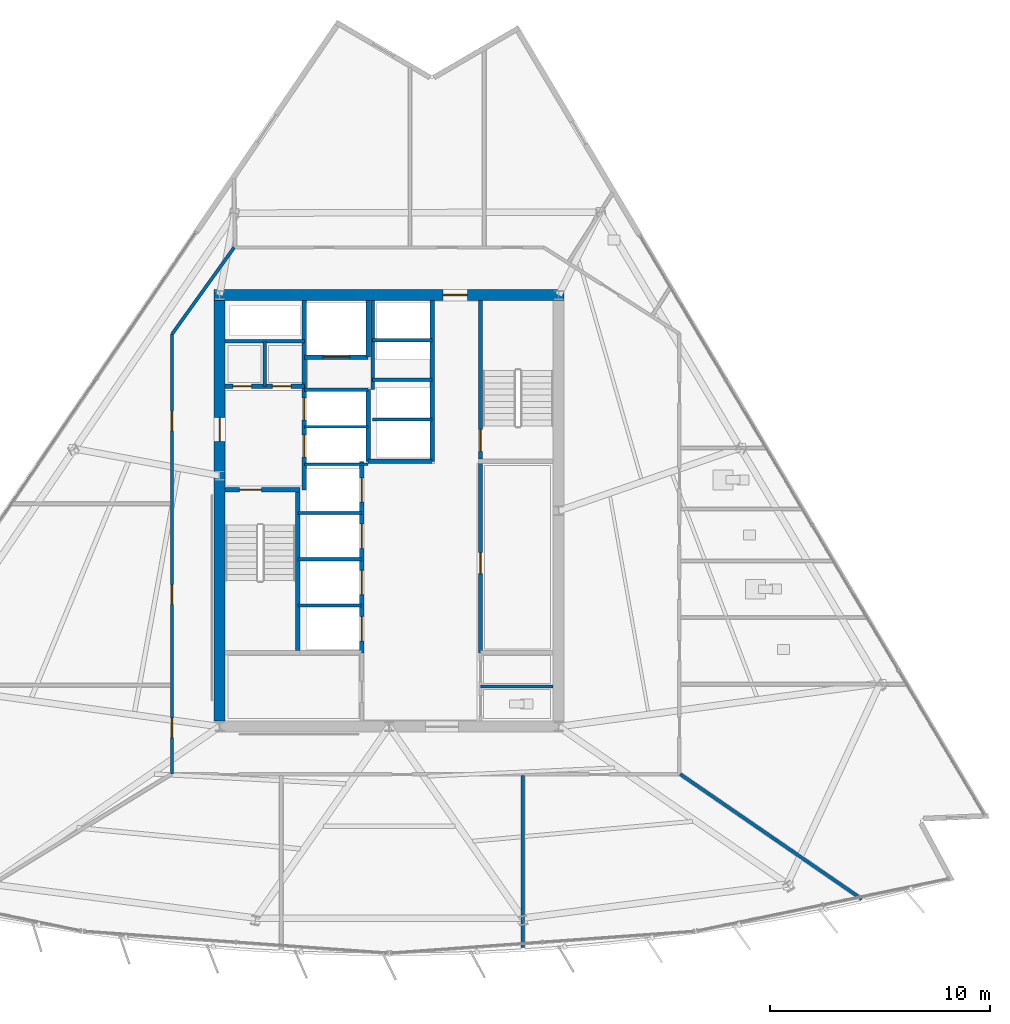
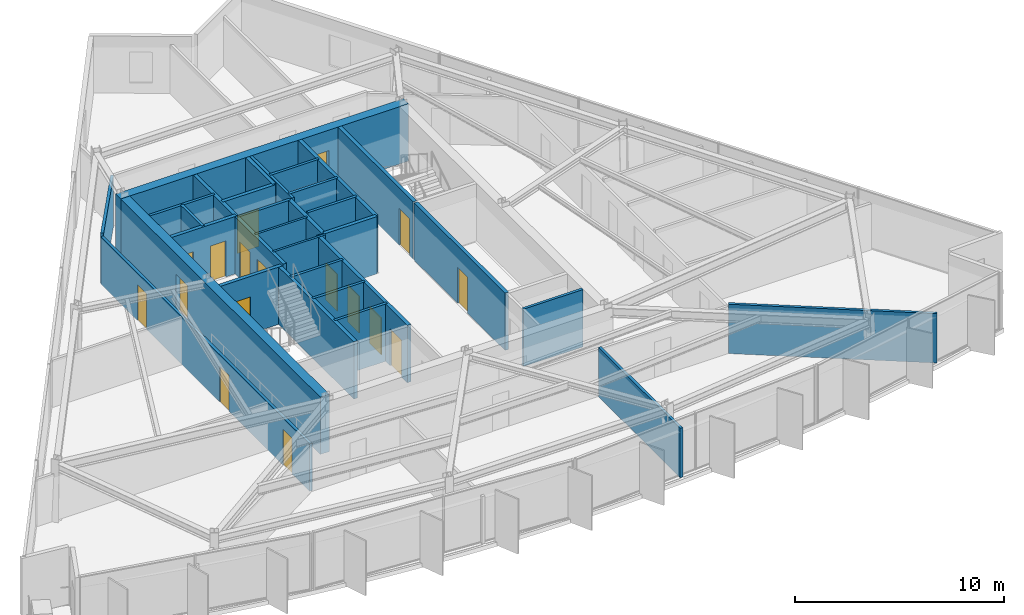
# One storey, part 8 of 15: 31 walls, 17 doors, 17 openings.
"""IFC4 building model written with IfcOpenShell, lengths in metres."""

from ifc_helpers import new_model, si_unit, direction, frame, frame_2d, origin, place, context, subcontext, project, spatial, rectangle, extrude, material, layer, layer_set, type_object, element, fill, save


model = new_model("IFC4")

# Units and contexts
model_context = context("Model", 3, precision=1e-05, world=origin(), true_north=direction((0.0, 1.0)))
body_context = subcontext(model_context, "Body", "Model", "MODEL_VIEW")
ifc_project = project(units=[si_unit("LENGTHUNIT", "METRE"), si_unit("AREAUNIT", "SQUARE_METRE"), si_unit("VOLUMEUNIT", "CUBIC_METRE"), si_unit("PLANEANGLEUNIT", "RADIAN"), si_unit("MASSUNIT", "GRAM", prefix="KILO")], contexts=[model_context])

# Site, building, storey
site_placement = place(None, origin())
site = spatial("IfcSite", under=ifc_project, at=site_placement, CompositionType="ELEMENT")
building_placement = place(site_placement, origin())
building = spatial("IfcBuilding", under=site, at=building_placement, Name="Savorim Split Tower", CompositionType="ELEMENT")
storey_placement = place(building_placement, frame((0.0, 0.0, 138.60009765625)))
storey = spatial("IfcBuildingStorey", under=building, at=storey_placement, Name="L36", CompositionType="ELEMENT", Elevation=138.60009765625)

# Wall, opening, door
ifc_material_1 = material(Name="Concrete C60/75", Category="concrete")
ifc_layer_1 = layer(ifc_material_1, 0.5)
ifc_layer_set_1 = layer_set([ifc_layer_1], Name="WAL-COR-SH500")
wall_type_1 = type_object("IfcWallType", Name="WAL-COR-SH500", PredefinedType="SHEAR", material=ifc_layer_set_1)
wall_1_placement = place(storey_placement, frame((7.949951171875, 10.199951171875, 0.0), z_axis=(0.0, 0.0, 1.0), x_axis=(-1.0, 0.0, 0.0)))
wall_1 = element("IfcWall", 1, at=wall_1_placement, inside=storey, type_object=wall_type_1, Name="L36 Offset Core North Shear Wall", PredefinedType="SHEAR", context=body_context, shape_type="SweptSolid", body=[
    extrude(rectangle(XDim=15.89990234375, YDim=0.5, at=frame_2d((7.949951171875, 0.0))), origin(), (0.0, 0.0, 1.0), 3.349853515625),
])
opening_1_placement = place(wall_1_placement, frame((4.39990234375, 0.0, 0.0)))
opening_1 = element("IfcOpeningElement", 2, at=opening_1_placement, cuts=wall_1, Name="Opening DI-03", PredefinedType="OPENING", context=body_context, shape_type="SweptSolid", body=[
    extrude(rectangle(XDim=1.10009765625, YDim=2.14990234375, at=frame_2d((0.550048828125, 1.074951171875))), frame((0.0, 0.260009765625, 0.0), z_axis=(0.0, -1.0, 0.0), x_axis=(1.0, 0.0, 0.0)), (0.0, 0.0, 1.0), 0.52001953125),
])
ifc_material_2 = material(Name="Timber Fire Door Leaf", Category="wood")
door_type_1 = type_object("IfcDoorType", Name="DOR-FIR-1100", OperationType="NOTDEFINED", PredefinedType="DOOR", material=ifc_material_2)
door_1_placement = place(opening_1_placement, origin())
door_1 = element("IfcDoor", 3, at=door_1_placement, inside=storey, type_object=door_type_1, Name="DOR-L36-COR-NLOB - L36 North Corridor Lobby Fire Door", OperationType="SINGLE_SWING_LEFT", OverallHeight=2.14990234375, OverallWidth=1.10009765625, PredefinedType="DOOR", context=body_context, shape_type="SweptSolid", body=[
    extrude(rectangle(XDim=1.10009765625, YDim=2.14990234375, at=frame_2d((0.550048828125, 1.074951171875))), frame((0.0, 0.02490234375, 0.0), z_axis=(0.0, -1.0, 0.0), x_axis=(1.0, 0.0, 0.0)), (0.0, 0.0, 1.0), 0.050048828125),
])
fill(opening_1, door_1)

wall_2_placement = place(storey_placement, frame((-7.699951171875, -9.14990234375, 0.0), z_axis=(0.0, 0.0, 1.0), x_axis=(0.0, 1.0, 0.0)))
wall_2 = element("IfcWall", 4, at=wall_2_placement, inside=storey, type_object=wall_type_1, Name="L36 Offset Core West Shear Wall", PredefinedType="SHEAR", context=body_context, shape_type="SweptSolid", body=[
    extrude(rectangle(XDim=19.099853515625, YDim=0.5, at=frame_2d((9.5498046875, 0.0))), origin(), (0.0, 0.0, 1.0), 3.349853515625),
])
opening_2_placement = place(wall_2_placement, frame((12.699951171875, 0.0, 0.0)))
opening_2 = element("IfcOpeningElement", 5, at=opening_2_placement, cuts=wall_2, Name="Opening DI-03", PredefinedType="OPENING", context=body_context, shape_type="SweptSolid", body=[
    extrude(rectangle(XDim=1.10009765625, YDim=2.14990234375, at=frame_2d((0.550048828125, 1.074951171875))), frame((0.0, 0.260009765625, 0.0), z_axis=(0.0, -1.0, 0.0), x_axis=(1.0, 0.0, 0.0)), (0.0, 0.0, 1.0), 0.52001953125),
])
door_2_placement = place(opening_2_placement, origin())
door_2 = element("IfcDoor", 6, at=door_2_placement, inside=storey, type_object=door_type_1, Name="DOR-L36-COR-FFLOB - L36 Firefighting Lobby Corridor Door", OperationType="SINGLE_SWING_RIGHT", OverallHeight=2.14990234375, OverallWidth=1.10009765625, PredefinedType="DOOR", context=body_context, shape_type="SweptSolid", body=[
    extrude(rectangle(XDim=1.10009765625, YDim=2.14990234375, at=frame_2d((0.550048828125, 1.074951171875))), frame((0.0, 0.02490234375, 0.0), z_axis=(0.0, -1.0, 0.0), x_axis=(1.0, 0.0, 0.0)), (0.0, 0.0, 1.0), 0.050048828125),
])
fill(opening_2, door_2)

ifc_material_3 = material(Name="Concrete C50/60", Category="concrete")
ifc_layer_2 = layer(ifc_material_3, 0.199951171875)
ifc_layer_set_2 = layer_set([ifc_layer_2], Name="WAL-INT-RC200")
wall_type_2 = type_object("IfcWallType", Name="WAL-INT-RC200", PredefinedType="SOLIDWALL", material=ifc_layer_set_2)
wall_3_placement = place(storey_placement, frame((-7.449951171875, 1.35009765625, 0.0), z_axis=(0.0, 0.0, 1.0), x_axis=(1.0, 0.0, 0.0)))
wall_3 = element("IfcWall", 7, at=wall_3_placement, inside=storey, type_object=wall_type_2, Name="L36 Structural Shaft Wall W-L36-CR01", PredefinedType="SOLIDWALL", context=body_context, shape_type="SweptSolid", body=[
    extrude(rectangle(XDim=3.39990234375, YDim=0.199951171875, at=frame_2d((1.699951171875, 0.0))), origin(), (0.0, 0.0, 1.0), 3.349853515625),
])
opening_3_placement = place(wall_3_placement, frame((0.64990234375, 0.0, 0.0)))
opening_3 = element("IfcOpeningElement", 8, at=opening_3_placement, cuts=wall_3, Name="Opening DI-04", PredefinedType="OPENING", context=body_context, shape_type="SweptSolid", body=[
    extrude(rectangle(XDim=1.0, YDim=2.14990234375, at=frame_2d((0.5, 1.074951171875))), frame((0.0, 0.10986328125, 0.0), z_axis=(0.0, -1.0, 0.0), x_axis=(1.0, 0.0, 0.0)), (0.0, 0.0, 1.0), 0.219970703125),
])
door_type_2 = type_object("IfcDoorType", Name="DOR-FIR-1000", OperationType="NOTDEFINED", PredefinedType="DOOR", material=ifc_material_2)
door_3_placement = place(opening_3_placement, origin())
door_3 = element("IfcDoor", 9, at=door_3_placement, inside=storey, type_object=door_type_2, Name="DR-L36-ST1 - L36 Stair ST-1 Enclosure Door", OperationType="SINGLE_SWING_LEFT", OverallHeight=2.14990234375, OverallWidth=1.0, PredefinedType="DOOR", context=body_context, shape_type="SweptSolid", body=[
    extrude(rectangle(XDim=1.0, YDim=2.14990234375, at=frame_2d((0.5, 1.074951171875))), frame((0.0, 0.02490234375, 0.0), z_axis=(0.0, -1.0, 0.0), x_axis=(1.0, 0.0, 0.0)), (0.0, 0.0, 1.0), 0.050048828125),
])
fill(opening_3, door_3)

# Wall
wall_4_placement = place(storey_placement, frame((-4.14990234375, -5.949951171875, 0.0), z_axis=(0.0, 0.0, 1.0), x_axis=(0.0, 1.0, 0.0)))
element("IfcWall", 10, at=wall_4_placement, inside=storey, type_object=wall_type_2, Name="L36 Structural Shaft Wall W-L36-CR02", PredefinedType="SOLIDWALL", context=body_context, shape_type="SweptSolid", body=[
    extrude(rectangle(XDim=7.199951171875, YDim=0.199951171875, at=frame_2d((3.60009765625, 0.0))), origin(), (0.0, 0.0, 1.0), 3.349853515625),
])

# Wall, openings, doors
wall_5_placement = place(storey_placement, frame((-3.85009765625, 1.35009765625, 0.0), z_axis=(0.0, 0.0, 1.0), x_axis=(0.0, 1.0, 0.0)))
wall_5 = element("IfcWall", 11, at=wall_5_placement, inside=storey, type_object=wall_type_2, Name="L36 Partition W-L36-CR03", PredefinedType="SOLIDWALL", context=body_context, shape_type="SweptSolid", body=[
    extrude(rectangle(XDim=8.594970703125, YDim=0.199951171875, at=frame_2d((4.29736328125, 0.0))), origin(), (0.0, 0.0, 1.0), 3.349853515625),
])
opening_4_placement = place(wall_5_placement, frame((1.5, 0.0, 0.0)))
opening_4 = element("IfcOpeningElement", 12, at=opening_4_placement, cuts=wall_5, Name="Opening LD-FFL", PredefinedType="OPENING", context=body_context, shape_type="SweptSolid", body=[
    extrude(rectangle(XDim=1.0, YDim=2.14990234375, at=frame_2d((0.5, 1.074951171875))), frame((0.0, 0.10986328125, 0.0), z_axis=(0.0, -1.0, 0.0), x_axis=(1.0, 0.0, 0.0)), (0.0, 0.0, 1.0), 0.219970703125),
])
opening_5_placement = place(wall_5_placement, frame((3.179931640625, 0.0, 0.0)))
opening_5 = element("IfcOpeningElement", 13, at=opening_5_placement, cuts=wall_5, Name="Opening LD-FFL", PredefinedType="OPENING", context=body_context, shape_type="SweptSolid", body=[
    extrude(rectangle(XDim=1.0, YDim=2.14990234375, at=frame_2d((0.5, 1.074951171875))), frame((0.0, 0.10986328125, 0.0), z_axis=(0.0, -1.0, 0.0), x_axis=(1.0, 0.0, 0.0)), (0.0, 0.0, 1.0), 0.219970703125),
])
ifc_material_4 = material(Name="Charcoal Anodised Aluminium", Category="aluminium")
door_type_3 = type_object("IfcDoorType", Name="DOR-SLD-LD1000", OperationType="NOTDEFINED", PredefinedType="DOOR", material=ifc_material_4)
door_4_placement = place(opening_4_placement, origin())
door_4 = element("IfcDoor", 14, at=door_4_placement, inside=storey, type_object=door_type_3, Name="DR-L36-LD-FFL1 - L36 Firefighting Lift FFL-1 Sliding Landing Door", OperationType="DOUBLE_DOOR_SLIDING", OverallHeight=2.14990234375, OverallWidth=1.0, PredefinedType="DOOR", context=body_context, shape_type="SweptSolid", body=[
    extrude(rectangle(XDim=1.0, YDim=2.14990234375, at=frame_2d((0.5, 1.074951171875))), frame((0.0, 0.02490234375, 0.0), z_axis=(0.0, -1.0, 0.0), x_axis=(1.0, 0.0, 0.0)), (0.0, 0.0, 1.0), 0.050048828125),
])
fill(opening_4, door_4)
door_5_placement = place(opening_5_placement, origin())
door_5 = element("IfcDoor", 15, at=door_5_placement, inside=storey, type_object=door_type_3, Name="DR-L36-LD-FFL2 - L36 Firefighting Lift FFL-2 Sliding Landing Door", OperationType="DOUBLE_DOOR_SLIDING", OverallHeight=2.14990234375, OverallWidth=1.0, PredefinedType="DOOR", context=body_context, shape_type="SweptSolid", body=[
    extrude(rectangle(XDim=1.0, YDim=2.14990234375, at=frame_2d((0.5, 1.074951171875))), frame((0.0, 0.02490234375, 0.0), z_axis=(0.0, -1.0, 0.0), x_axis=(1.0, 0.0, 0.0)), (0.0, 0.0, 1.0), 0.050048828125),
])
fill(opening_5, door_5)

wall_6_placement = place(storey_placement, frame((-7.445068359375, 6.050048828125, 0.0), z_axis=(0.0, 0.0, 1.0), x_axis=(1.0, 0.0, 0.0)))
wall_6 = element("IfcWall", 16, at=wall_6_placement, inside=storey, type_object=wall_type_2, Name="L36 Partition W-L36-CR04", PredefinedType="SOLIDWALL", context=body_context, shape_type="SweptSolid", body=[
    extrude(rectangle(XDim=3.594970703125, YDim=0.199951171875, at=frame_2d((1.79736328125, 0.0))), origin(), (0.0, 0.0, 1.0), 3.349853515625),
])
opening_6_placement = place(wall_6_placement, frame((0.344970703125, 0.0, 0.0)))
opening_6 = element("IfcOpeningElement", 17, at=opening_6_placement, cuts=wall_6, Name="Opening DI-12", PredefinedType="OPENING", context=body_context, shape_type="SweptSolid", body=[
    extrude(rectangle(XDim=0.85009765625, YDim=2.10009765625, at=frame_2d((0.425048828125, 1.050048828125))), frame((0.0, 0.10986328125, 0.0), z_axis=(0.0, -1.0, 0.0), x_axis=(1.0, 0.0, 0.0)), (0.0, 0.0, 1.0), 0.219970703125),
])
opening_7_placement = place(wall_6_placement, frame((2.14501953125, 0.0, 0.0)))
opening_7 = element("IfcOpeningElement", 18, at=opening_7_placement, cuts=wall_6, Name="Opening DI-12", PredefinedType="OPENING", context=body_context, shape_type="SweptSolid", body=[
    extrude(rectangle(XDim=0.85009765625, YDim=2.10009765625, at=frame_2d((0.425048828125, 1.050048828125))), frame((0.0, 0.10986328125, 0.0), z_axis=(0.0, -1.0, 0.0), x_axis=(1.0, 0.0, 0.0)), (0.0, 0.0, 1.0), 0.219970703125),
])
ifc_material_5 = material(Name="Galvanised Painted Steel Balustrade", Category="steel")
door_type_4 = type_object("IfcDoorType", Name="DOR-RIS-850", OperationType="NOTDEFINED", PredefinedType="DOOR", material=ifc_material_5)
door_6_placement = place(opening_6_placement, origin())
door_6 = element("IfcDoor", 19, at=door_6_placement, inside=storey, type_object=door_type_4, Name="DR-L36-ELR - L36 Electrical Riser Access Door", OperationType="SINGLE_SWING_RIGHT", OverallHeight=2.10009765625, OverallWidth=0.85009765625, PredefinedType="DOOR", context=body_context, shape_type="SweptSolid", body=[
    extrude(rectangle(XDim=0.85009765625, YDim=2.10009765625, at=frame_2d((0.425048828125, 1.050048828125))), frame((0.0, 0.02490234375, 0.0), z_axis=(0.0, -1.0, 0.0), x_axis=(1.0, 0.0, 0.0)), (0.0, 0.0, 1.0), 0.050048828125),
])
fill(opening_6, door_6)
door_7_placement = place(opening_7_placement, origin())
door_7 = element("IfcDoor", 20, at=door_7_placement, inside=storey, type_object=door_type_4, Name="DR-L36-TLR - L36 Telecom Riser Access Door", OperationType="SINGLE_SWING_LEFT", OverallHeight=2.10009765625, OverallWidth=0.85009765625, PredefinedType="DOOR", context=body_context, shape_type="SweptSolid", body=[
    extrude(rectangle(XDim=0.85009765625, YDim=2.10009765625, at=frame_2d((0.425048828125, 1.050048828125))), frame((0.0, 0.02490234375, 0.0), z_axis=(0.0, -1.0, 0.0), x_axis=(1.0, 0.0, 0.0)), (0.0, 0.0, 1.0), 0.050048828125),
])
fill(opening_7, door_7)

# Wall, opening, door
wall_7_placement = place(storey_placement, frame((4.14990234375, 2.75, 0.0), z_axis=(0.0, 0.0, 1.0), x_axis=(0.0, 1.0, 0.0)))
wall_7 = element("IfcWall", 21, at=wall_7_placement, inside=storey, type_object=wall_type_2, Name="L36 Structural Shaft Wall W-L36-CR07", PredefinedType="SOLIDWALL", context=body_context, shape_type="SweptSolid", body=[
    extrude(rectangle(XDim=7.199951171875, YDim=0.199951171875, at=frame_2d((3.60009765625, 0.0))), origin(), (0.0, 0.0, 1.0), 3.349853515625),
])
opening_8_placement = place(wall_7_placement, frame((0.35009765625, 0.0, 0.0)))
opening_8 = element("IfcOpeningElement", 22, at=opening_8_placement, cuts=wall_7, Name="Opening DI-04", PredefinedType="OPENING", context=body_context, shape_type="SweptSolid", body=[
    extrude(rectangle(XDim=1.0, YDim=2.14990234375, at=frame_2d((0.5, 1.074951171875))), frame((0.0, 0.10986328125, 0.0), z_axis=(0.0, -1.0, 0.0), x_axis=(1.0, 0.0, 0.0)), (0.0, 0.0, 1.0), 0.219970703125),
])
door_8_placement = place(opening_8_placement, origin())
door_8 = element("IfcDoor", 23, at=door_8_placement, inside=storey, type_object=door_type_2, Name="DR-L36-ST2 - L36 Stair ST-2 Enclosure Door", OperationType="SINGLE_SWING_RIGHT", OverallHeight=2.14990234375, OverallWidth=1.0, PredefinedType="DOOR", context=body_context, shape_type="SweptSolid", body=[
    extrude(rectangle(XDim=1.0, YDim=2.14990234375, at=frame_2d((0.5, 1.074951171875))), frame((0.0, 0.02490234375, 0.0), z_axis=(0.0, -1.0, 0.0), x_axis=(1.0, 0.0, 0.0)), (0.0, 0.0, 1.0), 0.050048828125),
])
fill(opening_8, door_8)

# Wall
wall_8_placement = place(storey_placement, frame((-0.949951171875, 2.64990234375, 0.0), z_axis=(0.0, 0.0, 1.0), x_axis=(0.0, 1.0, 0.0)))
element("IfcWall", 24, at=wall_8_placement, inside=storey, type_object=wall_type_2, Name="L36 Partition W-L36-FFLW", PredefinedType="SOLIDWALL", context=body_context, shape_type="SweptSolid", body=[
    extrude(rectangle(XDim=3.27001953125, YDim=0.199951171875, at=frame_2d((1.635009765625, 0.0))), origin(), (0.0, 0.0, 1.0), 3.349853515625),
])

# Wall, opening, door
wall_9_placement = place(storey_placement, frame((-3.85009765625, 7.3798828125, 0.0), z_axis=(0.0, 0.0, 1.0), x_axis=(1.0, 0.0, 0.0)))
wall_9 = element("IfcWall", 25, at=wall_9_placement, inside=storey, type_object=wall_type_2, Name="L36 Partition W-L36-SVLS", PredefinedType="SOLIDWALL", context=body_context, shape_type="SweptSolid", body=[
    extrude(rectangle(XDim=2.900146484375, YDim=0.199951171875, at=frame_2d((1.4501953125, 0.0))), origin(), (0.0, 0.0, 1.0), 3.349853515625),
])
opening_9_placement = place(wall_9_placement, frame((0.85009765625, 0.0, 0.0)))
opening_9 = element("IfcOpeningElement", 26, at=opening_9_placement, cuts=wall_9, Name="Opening LD-SV", PredefinedType="OPENING", context=body_context, shape_type="SweptSolid", body=[
    extrude(rectangle(XDim=1.199951171875, YDim=2.199951171875, at=frame_2d((0.60009765625, 1.10009765625))), frame((0.0, 0.10986328125, 0.0), z_axis=(0.0, -1.0, 0.0), x_axis=(1.0, 0.0, 0.0)), (0.0, 0.0, 1.0), 0.219970703125),
])
door_type_5 = type_object("IfcDoorType", Name="DOR-SLD-SV1200", OperationType="NOTDEFINED", PredefinedType="DOOR", material=ifc_material_4)
door_9_placement = place(opening_9_placement, origin())
door_9 = element("IfcDoor", 27, at=door_9_placement, inside=storey, type_object=door_type_5, Name="DR-L36-LD-SVL1 - L36 Service Lift SVL-1 Sliding Landing Door", OperationType="DOUBLE_DOOR_SLIDING", OverallHeight=2.199951171875, OverallWidth=1.199951171875, PredefinedType="DOOR", context=body_context, shape_type="SweptSolid", body=[
    extrude(rectangle(XDim=1.199951171875, YDim=2.199951171875, at=frame_2d((0.60009765625, 1.10009765625))), frame((0.0, 0.02490234375, 0.0), z_axis=(0.0, -1.0, 0.0), x_axis=(1.0, 0.0, 0.0)), (0.0, 0.0, 1.0), 0.050048828125),
])
fill(opening_9, door_9)

# Wall
wall_10_placement = place(storey_placement, frame((-0.949951171875, 7.3798828125, 0.0), z_axis=(0.0, 0.0, 1.0), x_axis=(0.0, 1.0, 0.0)))
element("IfcWall", 28, at=wall_10_placement, inside=storey, type_object=wall_type_2, Name="L36 Partition W-L36-SVLE", PredefinedType="SOLIDWALL", context=body_context, shape_type="SweptSolid", body=[
    extrude(rectangle(XDim=2.565185546875, YDim=0.199951171875, at=frame_2d((1.28271484375, 0.0))), origin(), (0.0, 0.0, 1.0), 3.349853515625),
])

# Wall, opening, door
wall_11_placement = place(storey_placement, frame((4.14990234375, -6.050048828125, 0.0), z_axis=(0.0, 0.0, 1.0), x_axis=(0.0, 1.0, 0.0)))
wall_11 = element("IfcWall", 29, at=wall_11_placement, inside=storey, type_object=wall_type_2, Name="L36 Partition W-L36-B1FRONT", PredefinedType="SOLIDWALL", context=body_context, shape_type="SweptSolid", body=[
    extrude(rectangle(XDim=8.699951171875, YDim=0.199951171875, at=frame_2d((4.35009765625, 0.0))), origin(), (0.0, 0.0, 1.0), 3.349853515625),
])
opening_10_placement = place(wall_11_placement, frame((3.60009765625, 0.0, 0.0)))
opening_10 = element("IfcOpeningElement", 30, at=opening_10_placement, cuts=wall_11, Name="Opening DI-05", PredefinedType="OPENING", context=body_context, shape_type="SweptSolid", body=[
    extrude(rectangle(XDim=0.949951171875, YDim=2.10009765625, at=frame_2d((0.47509765625, 1.050048828125))), frame((0.0, 0.10986328125, 0.0), z_axis=(0.0, -1.0, 0.0), x_axis=(1.0, 0.0, 0.0)), (0.0, 0.0, 1.0), 0.219970703125),
])
door_type_6 = type_object("IfcDoorType", Name="DOR-FIR-950", OperationType="NOTDEFINED", PredefinedType="DOOR", material=ifc_material_2)
door_10_placement = place(opening_10_placement, origin())
door_10 = element("IfcDoor", 31, at=door_10_placement, inside=storey, type_object=door_type_6, Name="DR-L36-LV7B1 - L36 Shared Pantry and Linen Room Door", OperationType="SINGLE_SWING_RIGHT", OverallHeight=2.10009765625, OverallWidth=0.949951171875, PredefinedType="DOOR", context=body_context, shape_type="SweptSolid", body=[
    extrude(rectangle(XDim=0.949951171875, YDim=2.10009765625, at=frame_2d((0.47509765625, 1.050048828125))), frame((0.0, 0.02490234375, 0.0), z_axis=(0.0, -1.0, 0.0), x_axis=(1.0, 0.0, 0.0)), (0.0, 0.0, 1.0), 0.050048828125),
])
fill(opening_10, door_10)

# Wall, openings, doors
wall_12_placement = place(storey_placement, frame((-1.25, -6.050048828125, 0.0), z_axis=(0.0, 0.0, 1.0), x_axis=(0.0, 1.0, 0.0)))
wall_12 = element("IfcWall", 32, at=wall_12_placement, inside=storey, type_object=wall_type_2, Name="L36 Partition W-L36-B2FRONT", PredefinedType="SOLIDWALL", context=body_context, shape_type="SweptSolid", body=[
    extrude(rectangle(XDim=8.699951171875, YDim=0.199951171875, at=frame_2d((4.35009765625, 0.0))), origin(), (0.0, 0.0, 1.0), 3.349853515625),
])
opening_11_placement = place(wall_12_placement, frame((0.550048828125, 0.0, 0.0)))
opening_11 = element("IfcOpeningElement", 33, at=opening_11_placement, cuts=wall_12, Name="Opening LD-02", PredefinedType="OPENING", context=body_context, shape_type="SweptSolid", body=[
    extrude(rectangle(XDim=1.10009765625, YDim=2.14990234375, at=frame_2d((0.550048828125, 1.074951171875))), frame((0.0, 0.10986328125, 0.0), z_axis=(0.0, -1.0, 0.0), x_axis=(1.0, 0.0, 0.0)), (0.0, 0.0, 1.0), 0.219970703125),
])
opening_12_placement = place(wall_12_placement, frame((2.64990234375, 0.0, 0.0)))
opening_12 = element("IfcOpeningElement", 34, at=opening_12_placement, cuts=wall_12, Name="Opening LD-02", PredefinedType="OPENING", context=body_context, shape_type="SweptSolid", body=[
    extrude(rectangle(XDim=1.10009765625, YDim=2.14990234375, at=frame_2d((0.550048828125, 1.074951171875))), frame((0.0, 0.10986328125, 0.0), z_axis=(0.0, -1.0, 0.0), x_axis=(1.0, 0.0, 0.0)), (0.0, 0.0, 1.0), 0.219970703125),
])
opening_13_placement = place(wall_12_placement, frame((4.75, 0.0, 0.0)))
opening_13 = element("IfcOpeningElement", 35, at=opening_13_placement, cuts=wall_12, Name="Opening LD-02", PredefinedType="OPENING", context=body_context, shape_type="SweptSolid", body=[
    extrude(rectangle(XDim=1.10009765625, YDim=2.14990234375, at=frame_2d((0.550048828125, 1.074951171875))), frame((0.0, 0.10986328125, 0.0), z_axis=(0.0, -1.0, 0.0), x_axis=(1.0, 0.0, 0.0)), (0.0, 0.0, 1.0), 0.219970703125),
])
opening_14_placement = place(wall_12_placement, frame((6.85009765625, 0.0, 0.0)))
opening_14 = element("IfcOpeningElement", 36, at=opening_14_placement, cuts=wall_12, Name="Opening LD-02", PredefinedType="OPENING", context=body_context, shape_type="SweptSolid", body=[
    extrude(rectangle(XDim=1.10009765625, YDim=2.14990234375, at=frame_2d((0.550048828125, 1.074951171875))), frame((0.0, 0.10986328125, 0.0), z_axis=(0.0, -1.0, 0.0), x_axis=(1.0, 0.0, 0.0)), (0.0, 0.0, 1.0), 0.219970703125),
])
door_type_7 = type_object("IfcDoorType", Name="DOR-SLD-LDM1100", OperationType="NOTDEFINED", PredefinedType="DOOR", material=ifc_material_4)
door_11_placement = place(opening_11_placement, origin())
door_11 = element("IfcDoor", 37, at=door_11_placement, inside=storey, type_object=door_type_7, Name="DR-L36-LD-PLM1 - L36 Lift PL-M1 Sliding Landing Door", OperationType="DOUBLE_DOOR_SLIDING", OverallHeight=2.14990234375, OverallWidth=1.10009765625, PredefinedType="DOOR", context=body_context, shape_type="SweptSolid", body=[
    extrude(rectangle(XDim=1.10009765625, YDim=2.14990234375, at=frame_2d((0.550048828125, 1.074951171875))), frame((0.0, 0.02490234375, 0.0), z_axis=(0.0, -1.0, 0.0), x_axis=(1.0, 0.0, 0.0)), (0.0, 0.0, 1.0), 0.050048828125),
])
fill(opening_11, door_11)
door_12_placement = place(opening_12_placement, origin())
door_12 = element("IfcDoor", 38, at=door_12_placement, inside=storey, type_object=door_type_7, Name="DR-L36-LD-PLM2 - L36 Lift PL-M2 Sliding Landing Door", OperationType="DOUBLE_DOOR_SLIDING", OverallHeight=2.14990234375, OverallWidth=1.10009765625, PredefinedType="DOOR", context=body_context, shape_type="SweptSolid", body=[
    extrude(rectangle(XDim=1.10009765625, YDim=2.14990234375, at=frame_2d((0.550048828125, 1.074951171875))), frame((0.0, 0.02490234375, 0.0), z_axis=(0.0, -1.0, 0.0), x_axis=(1.0, 0.0, 0.0)), (0.0, 0.0, 1.0), 0.050048828125),
])
fill(opening_12, door_12)
door_13_placement = place(opening_13_placement, origin())
door_13 = element("IfcDoor", 39, at=door_13_placement, inside=storey, type_object=door_type_7, Name="DR-L36-LD-PLM3 - L36 Lift PL-M3 Sliding Landing Door", OperationType="DOUBLE_DOOR_SLIDING", OverallHeight=2.14990234375, OverallWidth=1.10009765625, PredefinedType="DOOR", context=body_context, shape_type="SweptSolid", body=[
    extrude(rectangle(XDim=1.10009765625, YDim=2.14990234375, at=frame_2d((0.550048828125, 1.074951171875))), frame((0.0, 0.02490234375, 0.0), z_axis=(0.0, -1.0, 0.0), x_axis=(1.0, 0.0, 0.0)), (0.0, 0.0, 1.0), 0.050048828125),
])
fill(opening_13, door_13)
door_14_placement = place(opening_14_placement, origin())
door_14 = element("IfcDoor", 40, at=door_14_placement, inside=storey, type_object=door_type_7, Name="DR-L36-LD-PLM4 - L36 Lift PL-M4 Sliding Landing Door", OperationType="DOUBLE_DOOR_SLIDING", OverallHeight=2.14990234375, OverallWidth=1.10009765625, PredefinedType="DOOR", context=body_context, shape_type="SweptSolid", body=[
    extrude(rectangle(XDim=1.10009765625, YDim=2.14990234375, at=frame_2d((0.550048828125, 1.074951171875))), frame((0.0, 0.02490234375, 0.0), z_axis=(0.0, -1.0, 0.0), x_axis=(1.0, 0.0, 0.0)), (0.0, 0.0, 1.0), 0.050048828125),
])
fill(opening_14, door_14)

# Walls
wall_13_placement = place(storey_placement, frame((1.949951171875, 2.64990234375, 0.0), z_axis=(0.0, 0.0, 1.0), x_axis=(0.0, 1.0, 0.0)))
element("IfcWall", 41, at=wall_13_placement, inside=storey, type_object=wall_type_2, Name="L36 Partition W-L36-B3FRONT", PredefinedType="SOLIDWALL", context=body_context, shape_type="SweptSolid", body=[
    extrude(rectangle(XDim=7.295166015625, YDim=0.199951171875, at=frame_2d((3.6474609375, 0.0))), origin(), (0.0, 0.0, 1.0), 3.349853515625),
])
wall_14_placement = place(storey_placement, frame((-0.949951171875, 2.64990234375, 0.0), z_axis=(0.0, 0.0, 1.0), x_axis=(1.0, 0.0, 0.0)))
element("IfcWall", 42, at=wall_14_placement, inside=storey, type_object=wall_type_2, Name="L36 Partition W-L36-B3SOUTH", PredefinedType="SOLIDWALL", context=body_context, shape_type="SweptSolid", body=[
    extrude(rectangle(XDim=2.89990234375, YDim=0.199951171875, at=frame_2d((1.449951171875, 0.0))), origin(), (0.0, 0.0, 1.0), 3.349853515625),
])
ifc_material_6 = material(Name="Acoustic Gypsum Partition Board")
ifc_layer_3 = layer(ifc_material_6, 0.1201171875)
ifc_layer_set_3 = layer_set([ifc_layer_3], Name="WAL-PAR-120")
wall_type_3 = type_object("IfcWallType", Name="WAL-PAR-120", PredefinedType="PARTITIONING", material=ifc_layer_set_3)
for number, where, z_axis, x_axis, name in (
    (43, (-3.85009765625, 2.52001953125, 0.0), (0.0, 0.0, 1.0), (1.0, 0.0, 0.0), "L36 Partition W-L36-FFLD0"),
    (44, (-3.85009765625, 4.219970703125, 0.0), (0.0, 0.0, 1.0), (1.0, 0.0, 0.0), "L36 Partition W-L36-FFLD1"),
):
    element("IfcWall", number, at=place(storey_placement, frame(where, z_axis=z_axis, x_axis=x_axis)), inside=storey, type_object=wall_type_3, Name=name, PredefinedType="PARTITIONING", context=body_context, shape_type="SweptSolid", body=[
        extrude(rectangle(XDim=2.900146484375, YDim=0.1201171875, at=frame_2d((1.4501953125, 0.0))), origin(), (0.0, 0.0, 1.0), 3.349853515625),
    ])
ifc_layer_4 = layer(ifc_material_6, 0.14990234375)
ifc_layer_set_4 = layer_set([ifc_layer_4], Name="WAL-PAR-150")
wall_type_4 = type_object("IfcWallType", Name="WAL-PAR-150", PredefinedType="PARTITIONING", material=ifc_layer_set_4)
wall_15_placement = place(storey_placement, frame((-7.445068359375, 8.10009765625, 0.0), z_axis=(0.0, 0.0, 1.0), x_axis=(1.0, 0.0, 0.0)))
element("IfcWall", 45, at=wall_15_placement, inside=storey, type_object=wall_type_4, Name="L36 Partition W-L36-CR05", PredefinedType="PARTITIONING", context=body_context, shape_type="SweptSolid", body=[
    extrude(rectangle(XDim=3.594970703125, YDim=0.14990234375, at=frame_2d((1.79736328125, 0.0))), origin(), (0.0, 0.0, 1.0), 3.349853515625),
])
wall_16_placement = place(storey_placement, frame((-5.64990234375, 6.050048828125, 0.0), z_axis=(0.0, 0.0, 1.0), x_axis=(0.0, 1.0, 0.0)))
element("IfcWall", 46, at=wall_16_placement, inside=storey, type_object=wall_type_4, Name="L36 Partition W-L36-CR06", PredefinedType="PARTITIONING", context=body_context, shape_type="SweptSolid", body=[
    extrude(rectangle(XDim=2.050048828125, YDim=0.14990234375, at=frame_2d((1.02490234375, 0.0))), origin(), (0.0, 0.0, 1.0), 3.349853515625),
])
wall_17_placement = place(storey_placement, frame((-3.85009765625, 5.89990234375, 0.0), z_axis=(0.0, 0.0, 1.0), x_axis=(1.0, 0.0, 0.0)))
element("IfcWall", 47, at=wall_17_placement, inside=storey, type_object=wall_type_4, Name="L36 Partition W-L36-FFLD2", PredefinedType="PARTITIONING", context=body_context, shape_type="SweptSolid", body=[
    extrude(rectangle(XDim=2.900146484375, YDim=0.14990234375, at=frame_2d((1.4501953125, 0.0))), origin(), (0.0, 0.0, 1.0), 3.349853515625),
])
for number, where, z_axis, x_axis, name in (
    (48, (-4.14990234375, -3.89990234375, 0.0), (0.0, 0.0, 1.0), (1.0, 0.0, 0.0), "L36 Partition W-L36-B2DIV1"),
    (49, (-4.14990234375, -1.800048828125, 0.0), (0.0, 0.0, 1.0), (1.0, 0.0, 0.0), "L36 Partition W-L36-B2DIV2"),
    (50, (-4.14990234375, 0.300048828125, 0.0), (0.0, 0.0, 1.0), (1.0, 0.0, 0.0), "L36 Partition W-L36-B2DIV3"),
):
    element("IfcWall", number, at=place(storey_placement, frame(where, z_axis=z_axis, x_axis=x_axis)), inside=storey, type_object=wall_type_4, Name=name, PredefinedType="PARTITIONING", context=body_context, shape_type="SweptSolid", body=[
        extrude(rectangle(XDim=2.89990234375, YDim=0.14990234375, at=frame_2d((1.449951171875, 0.0))), origin(), (0.0, 0.0, 1.0), 3.349853515625),
    ])
wall_18_placement = place(storey_placement, frame((-0.75, 5.919921875, 0.0), z_axis=(0.0, 0.0, 1.0), x_axis=(0.0, 1.0, 0.0)))
element("IfcWall", 51, at=wall_18_placement, inside=storey, type_object=wall_type_4, Name="L36 Partition W-L36-B3WEST", PredefinedType="PARTITIONING", context=body_context, shape_type="SweptSolid", body=[
    extrude(rectangle(XDim=4.025146484375, YDim=0.14990234375, at=frame_2d((2.0126953125, 0.0))), origin(), (0.0, 0.0, 1.0), 3.349853515625),
])
for number, where, z_axis, x_axis, name in (
    (52, (-0.75, 4.550048828125, 0.0), (0.0, 0.0, 1.0), (1.0, 0.0, 0.0), "L36 Partition W-L36-B3DIV1"),
    (53, (-0.75, 6.35009765625, 0.0), (0.0, 0.0, 1.0), (1.0, 0.0, 0.0), "L36 Partition W-L36-B3DIV2"),
    (54, (-0.75, 8.14990234375, 0.0), (0.0, 0.0, 1.0), (1.0, 0.0, 0.0), "L36 Partition W-L36-B3DIV3"),
):
    element("IfcWall", number, at=place(storey_placement, frame(where, z_axis=z_axis, x_axis=x_axis)), inside=storey, type_object=wall_type_4, Name=name, PredefinedType="PARTITIONING", context=body_context, shape_type="SweptSolid", body=[
        extrude(rectangle(XDim=2.699951171875, YDim=0.14990234375, at=frame_2d((1.35009765625, 0.0))), origin(), (0.0, 0.0, 1.0), 3.349853515625),
    ])
wall_19_placement = place(storey_placement, frame((4.14990234375, -7.580078125, 0.0), z_axis=(0.0, 0.0, 1.0), x_axis=(1.0, 0.0, 0.0)))
element("IfcWall", 55, at=wall_19_placement, inside=storey, type_object=wall_type_4, Name="L36 Partition W-L36-K3H", PredefinedType="PARTITIONING", context=body_context, shape_type="SweptSolid", body=[
    extrude(rectangle(XDim=3.295166015625, YDim=0.14990234375, at=frame_2d((1.6474609375, 0.0))), origin(), (0.0, 0.0, 1.0), 3.349853515625),
])

# Wall, openings, doors
wall_20_placement = place(storey_placement, frame((-9.860107421875, -11.56005859375, 0.0), z_axis=(0.0, 0.0, 1.0), x_axis=(0.0, 1.0, 0.0)))
wall_20 = element("IfcWall", 56, at=wall_20_placement, inside=storey, type_object=wall_type_4, Name="L36 Partition W-L36-COR-01", PredefinedType="PARTITIONING", context=body_context, shape_type="SweptSolid", body=[
    extrude(rectangle(XDim=19.98583984375, YDim=0.14990234375, at=frame_2d((9.992919921875, 0.0))), origin(), (0.0, 0.0, 1.0), 2.77490234375),
])
opening_15_placement = place(wall_20_placement, frame((7.710205078125, 0.0, 0.0)))
opening_15 = element("IfcOpeningElement", 57, at=opening_15_placement, cuts=wall_20, Name="Opening DI-06", PredefinedType="OPENING", context=body_context, shape_type="SweptSolid", body=[
    extrude(rectangle(XDim=0.89990234375, YDim=2.10009765625, at=frame_2d((0.449951171875, 1.050048828125))), frame((0.0, 0.0849609375, 0.0), z_axis=(0.0, -1.0, 0.0), x_axis=(1.0, 0.0, 0.0)), (0.0, 0.0, 1.0), 0.169921875),
])
opening_16_placement = place(wall_20_placement, frame((1.65869140625, 0.0, 0.0)))
opening_16 = element("IfcOpeningElement", 58, at=opening_16_placement, cuts=wall_20, Name="Opening DI-06", PredefinedType="OPENING", context=body_context, shape_type="SweptSolid", body=[
    extrude(rectangle(XDim=0.89990234375, YDim=2.10009765625, at=frame_2d((0.449951171875, 1.050048828125))), frame((0.0, 0.0849609375, 0.0), z_axis=(0.0, -1.0, 0.0), x_axis=(1.0, 0.0, 0.0)), (0.0, 0.0, 1.0), 0.169921875),
])
opening_17_placement = place(wall_20_placement, frame((15.59423828125, 0.0, 0.0)))
opening_17 = element("IfcOpeningElement", 59, at=opening_17_placement, cuts=wall_20, Name="Opening DI-06", PredefinedType="OPENING", context=body_context, shape_type="SweptSolid", body=[
    extrude(rectangle(XDim=0.89990234375, YDim=2.10009765625, at=frame_2d((0.449951171875, 1.050048828125))), frame((0.0, 0.0849609375, 0.0), z_axis=(0.0, -1.0, 0.0), x_axis=(1.0, 0.0, 0.0)), (0.0, 0.0, 1.0), 0.169921875),
])
door_type_8 = type_object("IfcDoorType", Name="DOR-FIR-900", OperationType="NOTDEFINED", PredefinedType="DOOR", material=ifc_material_2)
door_15_placement = place(opening_15_placement, origin())
door_15 = element("IfcDoor", 60, at=door_15_placement, inside=storey, type_object=door_type_8, Name="DR-L36-RM01 - L36 Co-Working Commons Entry Door", OperationType="SINGLE_SWING_RIGHT", OverallHeight=2.10009765625, OverallWidth=0.89990234375, PredefinedType="DOOR", context=body_context, shape_type="SweptSolid", body=[
    extrude(rectangle(XDim=0.89990234375, YDim=2.10009765625, at=frame_2d((0.449951171875, 1.050048828125))), frame((0.0, 0.02490234375, 0.0), z_axis=(0.0, -1.0, 0.0), x_axis=(1.0, 0.0, 0.0)), (0.0, 0.0, 1.0), 0.050048828125),
])
fill(opening_15, door_15)
door_16_placement = place(opening_16_placement, origin())
door_16 = element("IfcDoor", 61, at=door_16_placement, inside=storey, type_object=door_type_8, Name="DR-L36-RM02 - L36 Maker Workshop Entry Door", OperationType="SINGLE_SWING_LEFT", OverallHeight=2.10009765625, OverallWidth=0.89990234375, PredefinedType="DOOR", context=body_context, shape_type="SweptSolid", body=[
    extrude(rectangle(XDim=0.89990234375, YDim=2.10009765625, at=frame_2d((0.449951171875, 1.050048828125))), frame((0.0, 0.02490234375, 0.0), z_axis=(0.0, -1.0, 0.0), x_axis=(1.0, 0.0, 0.0)), (0.0, 0.0, 1.0), 0.050048828125),
])
fill(opening_16, door_16)
door_17_placement = place(opening_17_placement, origin())
door_17 = element("IfcDoor", 62, at=door_17_placement, inside=storey, type_object=door_type_8, Name="DR-L36-RM16 - L36 Maker Workshop Entry Door", OperationType="SINGLE_SWING_LEFT", OverallHeight=2.10009765625, OverallWidth=0.89990234375, PredefinedType="DOOR", context=body_context, shape_type="SweptSolid", body=[
    extrude(rectangle(XDim=0.89990234375, YDim=2.10009765625, at=frame_2d((0.449951171875, 1.050048828125))), frame((0.0, 0.02490234375, 0.0), z_axis=(0.0, -1.0, 0.0), x_axis=(1.0, 0.0, 0.0)), (0.0, 0.0, 1.0), 0.050048828125),
])
fill(opening_17, door_17)

# Walls
wall_21_placement = place(storey_placement, frame((-9.860107421875, 8.42578125, 0.0), z_axis=(0.0, 0.0, 1.0), x_axis=(0.582449511476, 0.812866881218, 0.0)))
element("IfcWall", 63, at=wall_21_placement, inside=storey, type_object=wall_type_4, Name="L36 Partition W-L36-COR-02", PredefinedType="PARTITIONING", context=body_context, shape_type="SweptSolid", body=[
    extrude(rectangle(XDim=4.840087890625, YDim=0.14990234375, at=frame_2d((2.419921875, 0.0))), origin(), (0.0, 0.0, 1.0), 2.96484375),
])
wall_22_placement = place(storey_placement, frame((6.072998046875, -11.6201171875, 0.0), z_axis=(0.0, 0.0, 1.0), x_axis=(0.0, -1.0, 0.0)))
element("IfcWall", 64, at=wall_22_placement, inside=storey, type_object=wall_type_4, Name="L36 Partition W-L36-PRAD03", PredefinedType="PARTITIONING", context=body_context, shape_type="SweptSolid", body=[
    extrude(rectangle(XDim=7.8212890625, YDim=0.14990234375, at=frame_2d((3.91064453125, 0.0))), origin(), (0.0, 0.0, 1.0), 2.885009765625),
])
wall_23_placement = place(storey_placement, frame((13.21630859375, -11.5576171875, 0.0), z_axis=(0.0, 0.0, 1.0), x_axis=(0.823979354656, -0.566619822368, 0.0)))
element("IfcWall", 65, at=wall_23_placement, inside=storey, type_object=wall_type_4, Name="L36 Partition W-L36-SUB06", PredefinedType="PARTITIONING", context=body_context, shape_type="SweptSolid", body=[
    extrude(rectangle(XDim=10.01953125, YDim=0.14990234375, at=frame_2d((5.009765625, 0.0))), origin(), (0.0, 0.0, 1.0), 2.885009765625),
])

save(model, "model.ifc")
